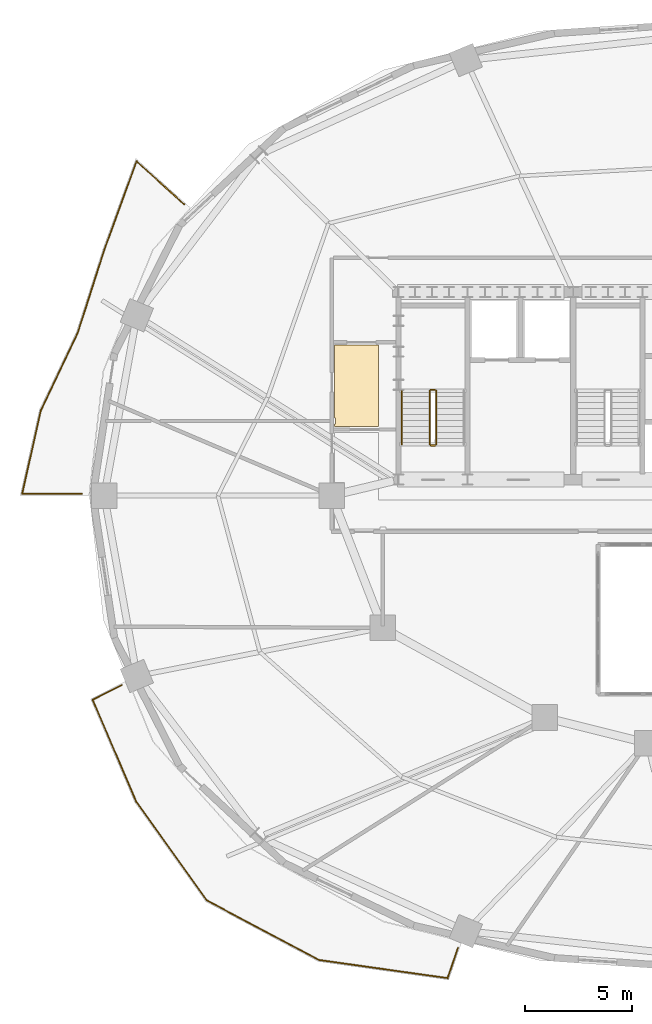
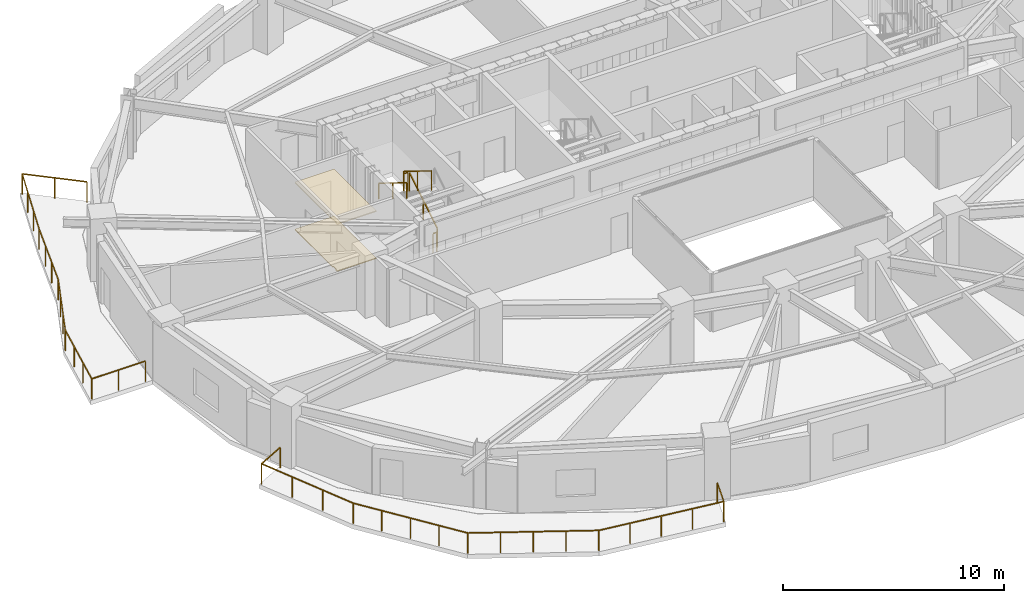
# One storey, part 10 of 12: 7 railings, 2 coverings.
"""IFC4 building model written with IfcOpenShell, lengths in metres."""

from ifc_helpers import new_model, si_unit, direction, frame, origin, origin_2d, place, context, subcontext, project, spatial, polyline, rectangle, outline, extrude, material, layer, layer_set, type_object, element, save


model = new_model("IFC4")

# Units and contexts
model_context = context("Model", 3, precision=1e-05, world=origin(), true_north=direction((0.0, 1.0)))
body_context = subcontext(model_context, "Body", "Model", "MODEL_VIEW")
ifc_project = project(units=[si_unit("LENGTHUNIT", "METRE"), si_unit("AREAUNIT", "SQUARE_METRE"), si_unit("VOLUMEUNIT", "CUBIC_METRE"), si_unit("PLANEANGLEUNIT", "RADIAN"), si_unit("MASSUNIT", "GRAM", prefix="KILO")], contexts=[model_context])

# Site, building, storey
site_placement = place(None, origin())
site = spatial("IfcSite", under=ifc_project, at=site_placement, CompositionType="ELEMENT")
building_placement = place(site_placement, origin())
building = spatial("IfcBuilding", under=site, at=building_placement, Name="Haldorwick Loom Tower", CompositionType="ELEMENT")
storey_placement = place(building_placement, frame((0.0, 0.0, 117.35009765625)))
storey = spatial("IfcBuildingStorey", under=building, at=storey_placement, Name="L31", CompositionType="ELEMENT", Elevation=117.35009765625)

# Coverings
ifc_material_1 = material(Name="Mineral Fibre Acoustic Ceiling Tile")
ifc_layer_1 = layer(ifc_material_1, 0.054931640625, Name="Mineral Fibre Acoustic Ceiling Tile")
ifc_layer_set_1 = layer_set([ifc_layer_1], Name="Mineral Fibre Acoustic Ceiling Tile")
covering_type_1 = type_object("IfcCoveringType", Name="ARC-COV-CEIL2", PredefinedType="CEILING", material=ifc_layer_set_1)
covering_1_placement = place(storey_placement, frame((0.0, 0.0, 2.594970703125)))
element("IfcCovering", 1, at=covering_1_placement, inside=storey, type_object=covering_type_1, Name="L31 Acoustic Suspended Ceiling 2", PredefinedType="CEILING", context=body_context, shape_type="SweptSolid", body=[
    extrude(outline(polyline([(18.969970703125, 29.639892578125), (18.971923828125, 29.639892578125), (18.973876953125, 29.6396484375), (18.975830078125, 29.63916015625), (18.977783203125, 29.638427734375), (18.9794921875, 29.6376953125), (18.981201171875, 29.63671875), (18.982666015625, 29.635498046875), (18.984130859375, 29.634033203125), (18.985595703125, 29.6328125), (18.986572265625, 29.631103515625), (18.987548828125, 29.62939453125), (18.988525390625, 29.627685546875), (18.989013671875, 29.625732421875), (18.989501953125, 29.623779296875), (18.989990234375, 29.6220703125), (18.989990234375, 29.6201171875), (18.989990234375, 29.3798828125), (18.989990234375, 29.3779296875), (18.989501953125, 29.376220703125), (18.989013671875, 29.374267578125), (18.988525390625, 29.372314453125), (18.987548828125, 29.37060546875), (18.986572265625, 29.368896484375), (18.985595703125, 29.3671875), (18.984130859375, 29.365966796875), (18.982666015625, 29.364501953125), (18.981201171875, 29.36328125), (18.9794921875, 29.3623046875), (18.977783203125, 29.361572265625), (18.975830078125, 29.36083984375), (18.973876953125, 29.3603515625), (18.971923828125, 29.360107421875), (18.969970703125, 29.360107421875), (18.93994140625, 29.360107421875), (18.93994140625, 29.239990234375), (21.0, 29.239990234375), (21.0, 33.06005859375), (18.93994140625, 33.06005859375), (18.93994140625, 29.639892578125), (18.969970703125, 29.639892578125)])), origin(), (0.0, 0.0, 1.0), 0.054931640625),
])
ifc_material_2 = material(Name="Polished Aggregate Terrazzo Finish")
ifc_layer_2 = layer(ifc_material_2, 0.044921875, Name="Polished Aggregate Terrazzo Finish")
ifc_layer_set_2 = layer_set([ifc_layer_2], Name="Polished Aggregate Terrazzo Finish")
covering_type_2 = type_object("IfcCoveringType", Name="ARC-COV-FLOOR2", PredefinedType="FLOORING", material=ifc_layer_set_2)
covering_2_placement = place(storey_placement, origin())
element("IfcCovering", 2, at=covering_2_placement, inside=storey, type_object=covering_type_2, Name="L31 Floor Finish 2", PredefinedType="FLOORING", context=body_context, shape_type="SweptSolid", body=[
    extrude(outline(polyline([(18.969970703125, 29.639892578125), (18.971923828125, 29.639892578125), (18.973876953125, 29.6396484375), (18.975830078125, 29.63916015625), (18.977783203125, 29.638427734375), (18.9794921875, 29.6376953125), (18.981201171875, 29.63671875), (18.982666015625, 29.635498046875), (18.984130859375, 29.634033203125), (18.985595703125, 29.6328125), (18.986572265625, 29.631103515625), (18.987548828125, 29.62939453125), (18.988525390625, 29.627685546875), (18.989013671875, 29.625732421875), (18.989501953125, 29.623779296875), (18.989990234375, 29.6220703125), (18.989990234375, 29.6201171875), (18.989990234375, 29.3798828125), (18.989990234375, 29.3779296875), (18.989501953125, 29.376220703125), (18.989013671875, 29.374267578125), (18.988525390625, 29.372314453125), (18.987548828125, 29.37060546875), (18.986572265625, 29.368896484375), (18.985595703125, 29.3671875), (18.984130859375, 29.365966796875), (18.982666015625, 29.364501953125), (18.981201171875, 29.36328125), (18.9794921875, 29.3623046875), (18.977783203125, 29.361572265625), (18.975830078125, 29.36083984375), (18.973876953125, 29.3603515625), (18.971923828125, 29.360107421875), (18.969970703125, 29.360107421875), (18.93994140625, 29.360107421875), (18.93994140625, 29.239990234375), (21.0, 29.239990234375), (21.0, 33.06005859375), (18.93994140625, 33.06005859375), (18.93994140625, 29.639892578125), (18.969970703125, 29.639892578125)])), origin(), (0.0, 0.0, 1.0), 0.044921875),
])

# Railings
ifc_material_3 = material(Name="Galvanized Steel CSA G40.21 350W", Category="steel")
railing_type_1 = type_object("IfcRailingType", Name="ARC-RLG-BAL115", PredefinedType="BALUSTRADE", material=ifc_material_3)
railing_1_placement = place(storey_placement, frame((24.7255859375, 4.806640625, 0.0)))
element("IfcRailing", 3, at=railing_1_placement, inside=storey, type_object=railing_type_1, Name="L31 Outdoor Terrace Guardrail SLB-L31-BAL_SW-1", PredefinedType="BALUSTRADE", context=body_context, shape_type="SweptSolid", body=[
    extrude(rectangle(XDim=0.048095703125, YDim=0.048095703125, at=origin_2d()), frame((0.0, 0.0, 1.1259765625), z_axis=(-0.322495651045, -0.946570945602, 0.0), x_axis=(0.946570945602, -0.322495651045, 0.0)), (0.0, 0.0, 1.0), 1.505859375),
    extrude(rectangle(XDim=0.048095703125, YDim=0.048095703125, at=origin_2d()), frame((-0.485595703125, -1.42529296875, 1.1259765625), z_axis=(-0.990214204772, 0.139555826346, 0.0), x_axis=(-0.139555826346, -0.990214204772, 0.0)), (0.0, 0.0, 1.0), 6.10205078125),
    extrude(rectangle(XDim=0.048095703125, YDim=0.048095703125, at=origin_2d()), frame((-6.52783203125, -0.57373046875, 1.1259765625), z_axis=(-0.882850640065, 0.469653859068, 0.0), x_axis=(-0.469653859068, -0.882850640065, 0.0)), (0.0, 0.0, 1.0), 5.941650390625),
    extrude(rectangle(XDim=0.048095703125, YDim=0.048095703125, at=origin_2d()), frame((-11.7734375, 2.216796875, 1.1259765625), z_axis=(-0.581797568397, 0.813333627368, 0.0), x_axis=(-0.813333627368, -0.581797568397, 0.0)), (0.0, 0.0, 1.0), 5.696044921875),
    extrude(rectangle(XDim=0.048095703125, YDim=0.048095703125, at=origin_2d()), frame((-15.08740234375, 6.849609375, 1.1259765625), z_axis=(-0.392692362195, 0.919669891142, 0.0), x_axis=(-0.919669891142, -0.392692362195, 0.0)), (0.0, 0.0, 1.0), 5.188720703125),
    extrude(rectangle(XDim=0.048095703125, YDim=0.048095703125, at=origin_2d()), frame((-17.125, 11.62158203125, 1.1259765625), z_axis=(0.891935865166, 0.452161931647, 0.0), x_axis=(-0.452161931647, 0.891935865166, 0.0)), (0.0, 0.0, 1.0), 1.537109375),
    extrude(rectangle(XDim=0.0419921875, YDim=0.0419921875, at=origin_2d()), origin(), (0.0, 0.0, 1.0), 1.101806640625),
    extrude(rectangle(XDim=0.0419921875, YDim=0.0419921875, at=origin_2d()), frame((-0.485595703125, -1.42529296875, 0.0)), (0.0, 0.0, 1.0), 1.101806640625),
    extrude(rectangle(XDim=0.0419921875, YDim=0.0419921875, at=origin_2d()), frame((-1.99609375, -1.21240234375, 0.0)), (0.0, 0.0, 1.0), 1.101806640625),
    extrude(rectangle(XDim=0.0419921875, YDim=0.0419921875, at=origin_2d()), frame((-3.5068359375, -0.99951171875, 0.0)), (0.0, 0.0, 1.0), 1.101806640625),
    extrude(rectangle(XDim=0.0419921875, YDim=0.0419921875, at=origin_2d()), frame((-5.017333984375, -0.78662109375, 0.0)), (0.0, 0.0, 1.0), 1.101806640625),
    extrude(rectangle(XDim=0.0419921875, YDim=0.0419921875, at=origin_2d()), frame((-6.52783203125, -0.57373046875, 0.0)), (0.0, 0.0, 1.0), 1.101806640625),
    extrude(rectangle(XDim=0.0419921875, YDim=0.0419921875, at=origin_2d()), frame((-7.83935546875, 0.1240234375, 0.0)), (0.0, 0.0, 1.0), 1.101806640625),
    extrude(rectangle(XDim=0.0419921875, YDim=0.0419921875, at=origin_2d()), frame((-9.150634765625, 0.821533203125, 0.0)), (0.0, 0.0, 1.0), 1.101806640625),
    extrude(rectangle(XDim=0.0419921875, YDim=0.0419921875, at=origin_2d()), frame((-10.4619140625, 1.51904296875, 0.0)), (0.0, 0.0, 1.0), 1.101806640625),
    extrude(rectangle(XDim=0.0419921875, YDim=0.0419921875, at=origin_2d()), frame((-11.7734375, 2.216796875, 0.0)), (0.0, 0.0, 1.0), 1.101806640625),
    extrude(rectangle(XDim=0.0419921875, YDim=0.0419921875, at=origin_2d()), frame((-12.60205078125, 3.375, 0.0)), (0.0, 0.0, 1.0), 1.101806640625),
    extrude(rectangle(XDim=0.0419921875, YDim=0.0419921875, at=origin_2d()), frame((-13.430419921875, 4.533203125, 0.0)), (0.0, 0.0, 1.0), 1.101806640625),
    extrude(rectangle(XDim=0.0419921875, YDim=0.0419921875, at=origin_2d()), frame((-14.2587890625, 5.69140625, 0.0)), (0.0, 0.0, 1.0), 1.101806640625),
    extrude(rectangle(XDim=0.0419921875, YDim=0.0419921875, at=origin_2d()), frame((-15.08740234375, 6.849609375, 0.0)), (0.0, 0.0, 1.0), 1.101806640625),
    extrude(rectangle(XDim=0.0419921875, YDim=0.0419921875, at=origin_2d()), frame((-15.7666015625, 8.440185546875, 0.0)), (0.0, 0.0, 1.0), 1.101806640625),
    extrude(rectangle(XDim=0.0419921875, YDim=0.0419921875, at=origin_2d()), frame((-16.44580078125, 10.031005859375, 0.0)), (0.0, 0.0, 1.0), 1.101806640625),
    extrude(rectangle(XDim=0.0419921875, YDim=0.0419921875, at=origin_2d()), frame((-17.125, 11.62158203125, 0.0)), (0.0, 0.0, 1.0), 1.101806640625),
    extrude(rectangle(XDim=0.0419921875, YDim=0.0419921875, at=origin_2d()), frame((-15.75390625, 12.316650390625, 0.0)), (0.0, 0.0, 1.0), 1.101806640625),
])
railing_2_placement = place(storey_placement, frame((7.09912109375, 26.080078125, 0.0)))
element("IfcRailing", 4, at=railing_2_placement, inside=storey, type_object=railing_type_1, Name="L31 Outdoor Terrace Guardrail SLB-L31-BAL_WNW-1", PredefinedType="BALUSTRADE", context=body_context, shape_type="SweptSolid", body=[
    extrude(rectangle(XDim=0.048095703125, YDim=0.048095703125, at=origin_2d()), frame((0.0, 0.0, 1.1259765625), z_axis=(-1.0, 0.0, 0.0), x_axis=(0.0, -1.0, 0.0)), (0.0, 0.0, 1.0), 2.806884765625),
    extrude(rectangle(XDim=0.048095703125, YDim=0.048095703125, at=origin_2d()), frame((-2.806884765625, 0.0, 1.1259765625), z_axis=(0.218854130939, 0.975757587401, 0.0), x_axis=(-0.975757587401, 0.218854130939, 0.0)), (0.0, 0.0, 1.0), 4.01708984375),
    extrude(rectangle(XDim=0.048095703125, YDim=0.048095703125, at=origin_2d()), frame((-1.927734375, 3.919677734375, 1.1259765625), z_axis=(0.429473394358, 0.903079511194, 0.0), x_axis=(-0.903079511194, 0.429473394358, 0.0)), (0.0, 0.0, 1.0), 4.01611328125),
    extrude(rectangle(XDim=0.048095703125, YDim=0.048095703125, at=origin_2d()), frame((-0.202880859375, 7.546630859375, 1.1259765625), z_axis=(0.363542485653, 0.931577619485, 0.0), x_axis=(-0.931577619485, 0.363542485653, 0.0)), (0.0, 0.0, 1.0), 0.0107421875),
    extrude(rectangle(XDim=0.048095703125, YDim=0.048095703125, at=origin_2d()), frame((-0.198974609375, 7.556640625, 1.1259765625), z_axis=(0.30505541462, 0.952334601918, 0.0), x_axis=(-0.952334601918, 0.30505541462, 0.0)), (0.0, 0.0, 1.0), 4.085693359375),
    extrude(rectangle(XDim=0.048095703125, YDim=0.048095703125, at=origin_2d()), frame((1.04736328125, 11.447509765625, 1.1259765625), z_axis=(0.342271759073, 0.93960100199, 0.0), x_axis=(-0.93960100199, 0.342271759073, 0.0)), (0.0, 0.0, 1.0), 4.41162109375),
    extrude(rectangle(XDim=0.048095703125, YDim=0.048095703125, at=origin_2d()), frame((2.557373046875, 15.5927734375, 1.1259765625), z_axis=(0.741606999005, -0.670834598859, 0.0), x_axis=(0.670834598859, 0.741606999005, 0.0)), (0.0, 0.0, 1.0), 3.004638671875),
    extrude(rectangle(XDim=0.0419921875, YDim=0.0419921875, at=origin_2d()), origin(), (0.0, 0.0, 1.0), 1.101806640625),
    extrude(rectangle(XDim=0.0419921875, YDim=0.0419921875, at=origin_2d()), frame((-1.4033203125, 0.0, 0.0)), (0.0, 0.0, 1.0), 1.101806640625),
    extrude(rectangle(XDim=0.0419921875, YDim=0.0419921875, at=origin_2d()), frame((-2.806884765625, 0.0, 0.0)), (0.0, 0.0, 1.0), 1.101806640625),
    extrude(rectangle(XDim=0.0419921875, YDim=0.0419921875, at=origin_2d()), frame((-2.513916015625, 1.306640625, 0.0)), (0.0, 0.0, 1.0), 1.101806640625),
    extrude(rectangle(XDim=0.0419921875, YDim=0.0419921875, at=origin_2d()), frame((-2.220703125, 2.613037109375, 0.0)), (0.0, 0.0, 1.0), 1.101806640625),
    extrude(rectangle(XDim=0.0419921875, YDim=0.0419921875, at=origin_2d()), frame((-1.927734375, 3.919677734375, 0.0)), (0.0, 0.0, 1.0), 1.101806640625),
    extrude(rectangle(XDim=0.0419921875, YDim=0.0419921875, at=origin_2d()), frame((-1.352783203125, 5.128662109375, 0.0)), (0.0, 0.0, 1.0), 1.101806640625),
    extrude(rectangle(XDim=0.0419921875, YDim=0.0419921875, at=origin_2d()), frame((-0.77783203125, 6.337646484375, 0.0)), (0.0, 0.0, 1.0), 1.101806640625),
    extrude(rectangle(XDim=0.0419921875, YDim=0.0419921875, at=origin_2d()), frame((-0.202880859375, 7.546630859375, 0.0)), (0.0, 0.0, 1.0), 1.101806640625),
    extrude(rectangle(XDim=0.0419921875, YDim=0.0419921875, at=origin_2d()), frame((0.216552734375, 8.853515625, 0.0)), (0.0, 0.0, 1.0), 1.101806640625),
    extrude(rectangle(XDim=0.0419921875, YDim=0.0419921875, at=origin_2d()), frame((0.6318359375, 10.150634765625, 0.0)), (0.0, 0.0, 1.0), 1.101806640625),
    extrude(rectangle(XDim=0.0419921875, YDim=0.0419921875, at=origin_2d()), frame((1.04736328125, 11.447509765625, 0.0)), (0.0, 0.0, 1.0), 1.101806640625),
    extrude(rectangle(XDim=0.0419921875, YDim=0.0419921875, at=origin_2d()), frame((1.55078125, 12.829345703125, 0.0)), (0.0, 0.0, 1.0), 1.101806640625),
    extrude(rectangle(XDim=0.0419921875, YDim=0.0419921875, at=origin_2d()), frame((2.053955078125, 14.2109375, 0.0)), (0.0, 0.0, 1.0), 1.101806640625),
    extrude(rectangle(XDim=0.0419921875, YDim=0.0419921875, at=origin_2d()), frame((2.557373046875, 15.5927734375, 0.0)), (0.0, 0.0, 1.0), 1.101806640625),
    extrude(rectangle(XDim=0.0419921875, YDim=0.0419921875, at=origin_2d()), frame((3.67138671875, 14.5849609375, 0.0)), (0.0, 0.0, 1.0), 1.101806640625),
    extrude(rectangle(XDim=0.0419921875, YDim=0.0419921875, at=origin_2d()), frame((4.78564453125, 13.5771484375, 0.0)), (0.0, 0.0, 1.0), 1.101806640625),
])
ifc_material_4 = material(Name="Steel CSA G40.21 350W", Category="steel")
railing_type_2 = type_object("IfcRailingType", Name="ARC-RLG-GUARD112", PredefinedType="GUARDRAIL", material=ifc_material_4)
railing_3_placement = place(storey_placement, frame((23.699951171875, 28.39990234375, 0.17236328125)))
element("IfcRailing", 5, at=railing_3_placement, inside=storey, type_object=railing_type_2, Name="L31 ST-01 stair guard 1", PredefinedType="GUARDRAIL", context=body_context, shape_type="SweptSolid", body=[
    extrude(rectangle(XDim=0.048095703125, YDim=0.048095703125, at=origin_2d()), frame((0.0, 0.0, 1.076171875), z_axis=(0.0, 0.851400495292, 0.524516154772), x_axis=(-1.0, 0.0, 0.0)), (0.0, 0.0, 1.0), 2.9599609375),
    extrude(rectangle(XDim=0.0419921875, YDim=0.0419921875, at=origin_2d()), origin(), (0.0, 0.0, 1.0), 1.052001953125),
    extrude(rectangle(XDim=0.0419921875, YDim=0.0419921875, at=origin_2d()), frame((0.0, 1.260009765625, 0.7763671875)), (0.0, 0.0, 1.0), 1.052001953125),
    extrude(rectangle(XDim=0.0419921875, YDim=0.0419921875, at=origin_2d()), frame((0.0, 2.52001953125, 1.552490234375)), (0.0, 0.0, 1.0), 1.052001953125),
])
railing_4_placement = place(storey_placement, frame((23.64990234375, 30.969970703125, 1.724853515625)))
element("IfcRailing", 6, at=railing_4_placement, inside=storey, type_object=railing_type_2, Name="L31 ST-01 stair guard 2", PredefinedType="GUARDRAIL", context=body_context, shape_type="SweptSolid", body=[
    extrude(rectangle(XDim=0.048095703125, YDim=0.048095703125, at=origin_2d()), frame((0.0, 0.0, 1.076171875), z_axis=(-1.0, 0.0, 0.0), x_axis=(0.0, -1.0, 0.0)), (0.0, 0.0, 1.0), 0.199951171875),
    extrude(rectangle(XDim=0.0419921875, YDim=0.0419921875, at=origin_2d()), origin(), (0.0, 0.0, 1.0), 1.052001953125),
    extrude(rectangle(XDim=0.0419921875, YDim=0.0419921875, at=origin_2d()), frame((-0.199951171875, 0.0, 0.0)), (0.0, 0.0, 1.0), 1.052001953125),
])
railing_5_placement = place(storey_placement, frame((23.39990234375, 30.919921875, 1.8974609375)))
element("IfcRailing", 7, at=railing_5_placement, inside=storey, type_object=railing_type_2, Name="L31 ST-01 stair guard 3", PredefinedType="GUARDRAIL", context=body_context, shape_type="SweptSolid", body=[
    extrude(rectangle(XDim=0.048095703125, YDim=0.048095703125, at=origin_2d()), frame((0.0, 0.0, 1.076171875), z_axis=(0.0, -0.851400495292, 0.524516154772), x_axis=(1.0, 0.0, 0.0)), (0.0, 0.0, 1.0), 2.9599609375),
    extrude(rectangle(XDim=0.0419921875, YDim=0.0419921875, at=origin_2d()), origin(), (0.0, 0.0, 1.0), 1.052001953125),
    extrude(rectangle(XDim=0.0419921875, YDim=0.0419921875, at=origin_2d()), frame((0.0, -1.260009765625, 0.7763671875)), (0.0, 0.0, 1.0), 1.052001953125),
    extrude(rectangle(XDim=0.0419921875, YDim=0.0419921875, at=origin_2d()), frame((0.0, -2.52001953125, 1.552490234375)), (0.0, 0.0, 1.0), 1.052001953125),
])
railing_6_placement = place(storey_placement, frame((23.64990234375, 28.35009765625, 0.0)))
element("IfcRailing", 8, at=railing_6_placement, inside=storey, type_object=railing_type_2, Name="L31 ST-01 stair guard 4", PredefinedType="GUARDRAIL", context=body_context, shape_type="SweptSolid", body=[
    extrude(rectangle(XDim=0.048095703125, YDim=0.048095703125, at=origin_2d()), frame((0.0, 0.0, 1.076171875), z_axis=(-1.0, 0.0, 0.0), x_axis=(0.0, -1.0, 0.0)), (0.0, 0.0, 1.0), 0.199951171875),
    extrude(rectangle(XDim=0.0419921875, YDim=0.0419921875, at=origin_2d()), origin(), (0.0, 0.0, 1.0), 1.052001953125),
    extrude(rectangle(XDim=0.0419921875, YDim=0.0419921875, at=origin_2d()), frame((-0.199951171875, 0.0, 0.0)), (0.0, 0.0, 1.0), 1.052001953125),
])
railing_type_3 = type_object("IfcRailingType", Name="ARC-RLG-HAND092", PredefinedType="HANDRAIL", material=ifc_material_4)
railing_7_placement = place(storey_placement, frame((22.10009765625, 30.919921875, 1.8974609375)))
element("IfcRailing", 9, at=railing_7_placement, inside=storey, type_object=railing_type_3, Name="L31 ST-01 stair handrail 2", PredefinedType="HANDRAIL", context=body_context, shape_type="SweptSolid", body=[
    extrude(rectangle(XDim=0.048095703125, YDim=0.048095703125, at=origin_2d()), frame((0.0, 0.0, 0.8759765625), z_axis=(0.0, -0.851400495292, 0.524516154772), x_axis=(1.0, 0.0, 0.0)), (0.0, 0.0, 1.0), 2.9599609375),
    extrude(rectangle(XDim=0.0419921875, YDim=0.0419921875, at=origin_2d()), origin(), (0.0, 0.0, 1.0), 0.851806640625),
    extrude(rectangle(XDim=0.0419921875, YDim=0.0419921875, at=origin_2d()), frame((0.0, -1.260009765625, 0.7763671875)), (0.0, 0.0, 1.0), 0.851806640625),
    extrude(rectangle(XDim=0.0419921875, YDim=0.0419921875, at=origin_2d()), frame((0.0, -2.52001953125, 1.552490234375)), (0.0, 0.0, 1.0), 0.851806640625),
])

save(model, "model.ifc")
